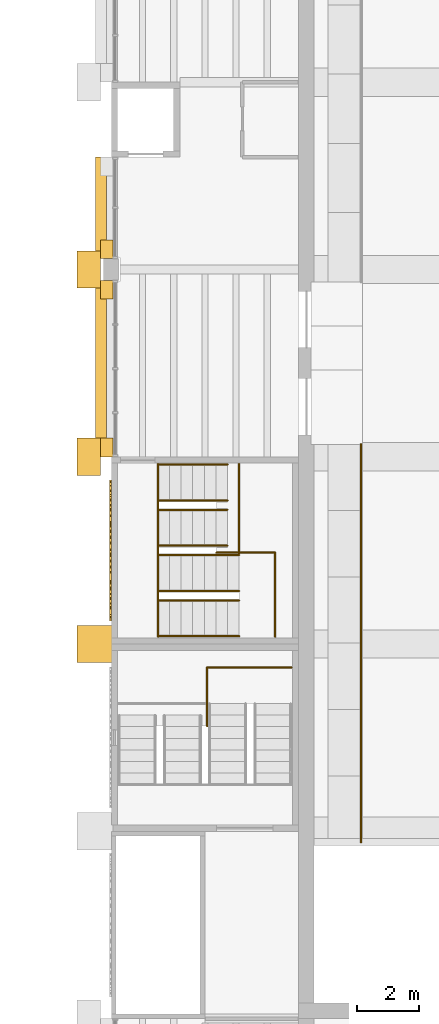
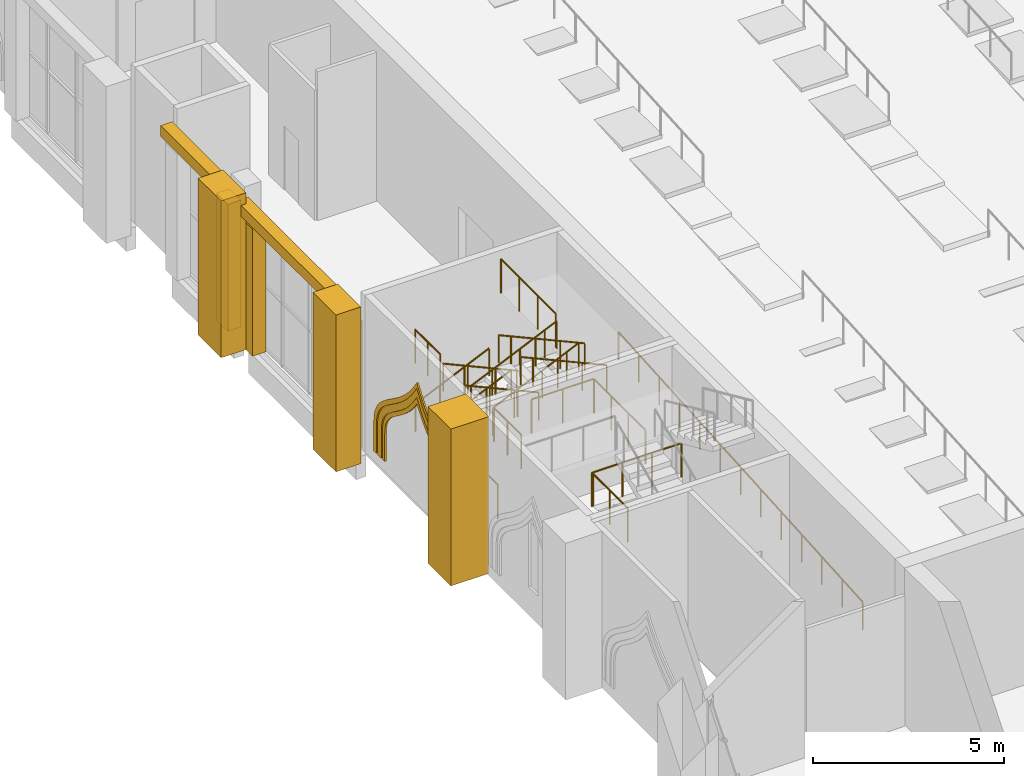
# One storey, part 69 of 80: 17 railings, 11 coverings.
"""IFC4 building model written with IfcOpenShell, lengths in metres."""

from ifc_helpers import new_model, si_unit, direction, frame, origin, origin_2d, place, context, subcontext, project, spatial, polyline, rectangle, circle, outline, extrude, material, layer, layer_set, type_object, element, save


model = new_model("IFC4")

# Units and contexts
model_context = context("Model", 3, precision=1e-05, world=origin(), true_north=direction((0.0, 1.0)))
body_context = subcontext(model_context, "Body", "Model", "MODEL_VIEW")
ifc_project = project(units=[si_unit("LENGTHUNIT", "METRE"), si_unit("AREAUNIT", "SQUARE_METRE"), si_unit("VOLUMEUNIT", "CUBIC_METRE"), si_unit("PLANEANGLEUNIT", "RADIAN"), si_unit("MASSUNIT", "GRAM", prefix="KILO")], contexts=[model_context])

# Site, building, storey
site_placement = place(None, origin())
site = spatial("IfcSite", under=ifc_project, at=site_placement, CompositionType="ELEMENT")
building_placement = place(site_placement, origin())
building = spatial("IfcBuilding", under=site, at=building_placement, Name="Saffron Lane Theatres", CompositionType="ELEMENT")
storey_placement = place(building_placement, frame((0.0, 0.0, 7.0)))
storey = spatial("IfcBuildingStorey", under=building, at=storey_placement, Name="L01", CompositionType="ELEMENT", Elevation=7.0)

# Coverings
ifc_material_1 = material(Name="Masonry sandstone", Category="masonry")
ifc_layer_1 = layer(ifc_material_1, 0.050048828125)
ifc_layer_set_1 = layer_set([ifc_layer_1], Name="Masonry sandstone")
covering_type_1 = type_object("IfcCoveringType", Name="EX-ARCH FRAME RING SANDSTONE 50", PredefinedType="CLADDING", material=ifc_layer_set_1)
covering_1_placement = place(storey_placement, frame((12.0, 67.220947265625, 1.466064453125), z_axis=(1.0, 0.0, 0.0), x_axis=(0.0, -0.06442827163, -0.997922340573)))
element("IfcCovering", 1, at=covering_1_placement, inside=storey, type_object=covering_type_1, Name="Arch recess ring L01", PredefinedType="CLADDING", context=body_context, shape_type="SweptSolid", body=[
    extrude(outline(polyline([(0.0, 0.0), (0.17052029873114202, -1.734723475976807e-18), (1.0646548177504682, 0.057727479707130096), (1.0569158749668421, 0.17759510460018418), (0.1666794900903794, 0.12011929782910698), (0.009378312325415084, 0.11999416045256955), (-0.12631115114749694, 0.14132553905751855), (-0.24603161728210898, 0.1805686902487979), (-0.35582673200113546, 0.23659947491203814), (-0.4578891957599371, 0.3092763270207095), (-0.555794861524932, 0.3971451362776176), (-0.653316026970957, 0.49800516267527767), (-0.7518515741675732, 0.6107874953269541), (-0.8559833487339207, 0.734462372469297), (-0.9676838373063142, 0.8654773607007713), (-1.0898294518163916, 1.00291280516755), (-1.2261138421464728, 1.1433497989425043), (-1.3797199718461386, 1.2868274911490194), (-1.5533040390279798, 1.4290153595582635), (-1.7497739147406413, 1.569481016084268), (-1.8987485633254448, 1.6601689117707128), (-1.7626721527133515, 1.769260390906025), (-1.5858956842468284, 1.9338237310590929), (-1.4320364834281316, 2.0971521260967796), (-1.2981552200916107, 2.259190697337195), (-1.1810608911355616, 2.415986431955586), (-1.077601992127411, 2.5679874475964257), (-0.9836759046637523, 2.7122781832046896), (-0.8963118394619282, 2.8483164933306306), (-0.8130968822475313, 2.9728330766257725), (-0.7293548100504015, 3.0853958945498916), (-0.6435609043329518, 3.185124790918292), (-0.5516911944842918, 3.270322371595594), (-0.45001253195297086, 3.340006413039703), (-0.33633221628362797, 3.394318481277149), (-0.20451222420252907, 3.432920915118727), (-0.04850087023483576, 3.45302398997744), (0.841735514641627, 3.510499796748517), (0.8339965718580008, 3.6303674216415716), (-0.06013794716132548, 3.5726399419344412), (-0.22924258562717004, 3.5507129373808337), (-0.378596141799031, 3.507064111625651), (-0.5108079746597345, 3.444216136307078), (-0.6259724615603004, 3.3636308117286893), (-0.7289703097314318, 3.2689074104217855), (-0.8232595752236446, 3.1605566187191068), (-0.9107501759849842, 3.0416355637022074), (-0.996699979104489, 2.914006625097878), (-1.0852822112259581, 2.7778896671794207), (-1.1770785164682693, 2.6347150311334024), (-1.2787771031070279, 2.485763452567737), (-1.393199504391982, 2.333054606794249), (-1.5222947873945643, 2.1764626573449113), (-1.670393474343606, 2.018643802332316), (-1.8417002509999132, 1.8603051727976225), (-2.106324206432929, 1.6467673279258968), (-1.816438580043605, 1.469029958207694), (-1.6261934149493182, 1.3340339934919054), (-1.4590305030942705, 1.196569187182587), (-1.3108709951856827, 1.0578774753100109), (-1.1777618783988018, 0.9211498609758807), (-1.057754085662196, 0.786512180648223), (-0.9483092157791764, 0.6563301599259349), (-0.842959274293184, 0.5327339305761084), (-0.7413113717873806, 0.417216752019324), (-0.6392551998519803, 0.31053329351799586), (-0.5318160234510044, 0.21520657625605405), (-0.4174928931574932, 0.13451394113409837), (-0.29292213027195085, 0.06940650212296195), (-0.15372637343577983, 0.024081254977071236), (0.0, 0.0)])), origin(), (0.0, 0.0, -1.0), 0.050048828125),
])
covering_2_placement = place(storey_placement, frame((12.0, 66.962890625, 1.489013671875), z_axis=(1.0, 0.0, 0.0), x_axis=(0.0, -0.067277250526, -0.997734319126)))
element("IfcCovering", 2, at=covering_2_placement, inside=storey, type_object=covering_type_1, Name="Arch recess ring L01", PredefinedType="CLADDING", context=body_context, shape_type="SweptSolid", body=[
    extrude(outline(polyline([(0.0, 0.0), (0.19233029031026627, 1.734723475976807e-18), (1.0875142802486646, 0.060362279219764774), (1.0740621151654026, 0.2598604255488935), (0.18496781223338807, 0.19990877407892305), (0.015584020397099685, 0.20072197197738367), (-0.12930993244145556, 0.22300681743565523), (-0.25737744477051455, 0.26428900709195824), (-0.3738324043353903, 0.32568513851799763), (-0.4833823096412719, 0.4044308347113844), (-0.5899409854822366, 0.5005068813925055), (-0.6969186565818595, 0.6136833270214763), (-0.806455545762842, 0.7394113458537827), (-0.9222383154489977, 0.8779317362000586), (-1.0464893140129872, 1.0259136097170674), (-1.1832181277392173, 1.1811290396929053), (-1.336190755431839, 1.3413665245256616), (-1.5076131203535217, 1.5030515883918443), (-1.7018369469288772, 1.6654014043510899), (-1.9220589334515876, 1.8250193836201942), (-2.049700012736332, 1.9035239715952115), (-1.9337536117657297, 1.998453669562001), (-1.7369538320912872, 2.1861914371370204), (-1.5662836132441338, 2.3731460678639418), (-1.4181192040708015, 2.55638087603933), (-1.288043179706711, 2.735704338682526), (-1.1733897138094234, 2.9078704821698738), (-1.0701300058149192, 3.071193408419198), (-0.9739916676789238, 3.224003644458316), (-0.88232529816899, 3.363298804143827), (-0.7915099353012716, 3.489812439086117), (-0.6988140522933629, 3.5993242257405087), (-0.6008274244216893, 3.6920641156468856), (-0.493669077112157, 3.768538498045372), (-0.3723030096597413, 3.8266400003332506), (-0.23171243563903043, 3.8681750747018797), (-0.06397115480191937, 3.8917206248289538), (0.8251231481300952, 3.9516722762989245), (0.8116709830468334, 4.151170422628053), (-0.08351300689156488, 4.090808143408289), (-0.27410223554270324, 4.064987870501222), (-0.4451520913660816, 4.014302770236232), (-0.5955924629503493, 3.941027255485577), (-0.7275034510174831, 3.846978625211365), (-0.844380195010638, 3.73681510258881), (-0.9502679206038257, 3.612466173180341), (-1.0472960038489982, 3.476479898388833), (-1.1427584332134457, 3.3317901747481002), (-1.2394961329102734, 3.176981963536964), (-1.3410042423826358, 3.0167134879306374), (-1.452105235905665, 2.849925483288521), (-1.5768114889333888, 2.678060260212532), (-1.7181938772187972, 2.503113004705068), (-1.8797283259254323, 2.325828115147266), (-2.066256523608039, 2.1490601516926002), (-2.3929147724161153, 1.8803809916168037), (-2.033143501864625, 1.6579877914978223), (-1.8245728065730595, 1.5078613564498122), (-1.6407002082776134, 1.3538672728603436), (-1.4771110712833284, 1.199484255062579), (-1.3304608713065962, 1.045916604517425), (-1.197974384574279, 0.8955537098670809), (-1.0758691871722335, 0.7503634852332024), (-0.9592242541653773, 0.6099436703748589), (-0.8452014505102268, 0.4793795413270504), (-0.7307956008937585, 0.35765026200840155), (-0.6091726199284526, 0.24864238533224842), (-0.47856448398217566, 0.15516677446133414), (-0.335221619360768, 0.07967851847782517), (-0.17630589102074565, 0.02726289341672148), (0.0, 0.0)])), origin(), (0.0, 0.0, -1.0), 0.050048828125),
])
covering_3_placement = place(storey_placement, frame((12.0, 66.763916015625, 1.5029296875), z_axis=(1.0, 0.0, 0.0), x_axis=(0.0, -0.067065646472, -0.997748565052)))
element("IfcCovering", 3, at=covering_3_placement, inside=storey, type_object=covering_type_1, Name="Arch recess ring L01", PredefinedType="CLADDING", context=body_context, shape_type="SweptSolid", body=[
    extrude(outline(polyline([(0.0, 0.0), (0.2074984191926236, 1.734723475976807e-18), (1.1014772360238896, 0.06009055726342236), (1.0920952498353498, 0.19966817634906692), (0.20201388833631823, 0.13983959426717446), (0.011615956568756983, 0.14025496281157382), (-0.1545495581607764, 0.1660342398852799), (-0.3013217281198837, 0.216362774594851), (-0.43524275150959957, 0.2866410640821107), (-0.5608118797206071, 0.37827952297569045), (-0.6812756516801551, 0.4886130134091051), (-0.8002551848645222, 0.616908751733141), (-0.9221167322992069, 0.7589581870874968), (-1.0488253950991717, 0.9148739228396727), (-1.186176225141812, 1.079861985519764), (-1.3360197094001713, 1.2523298417874185), (-1.5023331596762923, 1.4295632334296131), (-1.689857407544703, 1.6092859638033192), (-1.9023752941957186, 1.789530921019154), (-2.1427587800075587, 1.9657006129933605), (-2.3310778582787033, 2.0844417257822565), (-2.1603438640677535, 2.227317302169595), (-1.945699439841227, 2.434072596587418), (-1.7592153368547458, 2.6411372630123773), (-1.5974301505716484, 2.844339519030701), (-1.456331811517781, 3.0422362031160675), (-1.3309175129370854, 3.2332060565792715), (-1.2168824740506068, 3.4150915184680417), (-1.1121797264991542, 3.5865620306235555), (-1.01042477424689, 3.74364229201819), (-0.9096852630765426, 3.886706881200974), (-0.805070989599554, 4.01216943836774), (-0.6928953425442629, 4.119788383334645), (-0.5695843140065082, 4.207357034802879), (-0.4308678808794456, 4.276875251559516), (-0.2696471477012892, 4.324660443881734), (-0.08101754840905481, 4.350552898829916), (0.8090638130899768, 4.410381480911808), (0.799681826901437, 4.549959099997453), (-0.09429698992982904, 4.4898685427340315), (-0.299928835954052, 4.462099173491861), (-0.48175454911721033, 4.407790454445362), (-0.6417883508808035, 4.327785761836828), (-0.782322811336707, 4.22706951819905), (-0.9076463378150302, 4.107555693526036), (-1.0206021653451405, 3.9715000894631314), (-1.1270384876998094, 3.8221799810608545), (-1.2304638189878152, 3.660827685784956), (-1.3361409303723266, 3.48929167983406), (-1.4482927353880704, 3.3085115693691134), (-1.5720202814841786, 3.1215701588289084), (-1.7092559228779225, 2.928092869664417), (-1.8663186618097571, 2.7310806390702025), (-2.046457047981351, 2.531538567002596), (-2.253455933357439, 2.3311697793950295), (-2.5685790425867374, 2.0684776131577776), (-2.2211347453361867, 1.85032122778061), (-1.9891827239193753, 1.6794573949928497), (-1.7839602141162927, 1.5058181189990123), (-1.6019443391437345, 1.3315977291979), (-1.440050283788488, 1.1582270352158286), (-1.292417502377776, 0.9895256466896438), (-1.1570808937966353, 0.8253809602518462), (-1.0293978671636117, 0.6695307182950527), (-0.9053092434324345, 0.5234712242409627), (-0.7798469735191562, 0.38973863913971574), (-0.6496990247011458, 0.27002373702473836), (-0.5095084066710004, 0.16835697159344964), (-0.356759353376265, 0.08735436036579791), (-0.1874581795660513, 0.029486570596540487), (0.0, 0.0)])), origin(), (0.0, 0.0, -1.0), 0.050048828125),
])
ifc_material_2 = material(Name="Masonry sandstone", Category="masonry")
ifc_layer_2 = layer(ifc_material_2, 1.199951171875)
ifc_layer_set_2 = layer_set([ifc_layer_2], Name="Masonry sandstone")
covering_type_2 = type_object("IfcCoveringType", Name="EX-FLANK BUTTRESS PIER SANDSTONE 1200", PredefinedType="CLADDING", material=ifc_layer_set_2)
covering_4_placement = place(storey_placement, frame((11.47509765625, 66.0, 0.0), z_axis=(0.0, 0.0, 1.0), x_axis=(0.0, 1.0, 0.0)))
element("IfcCovering", 4, at=covering_4_placement, inside=storey, type_object=covering_type_2, Name="Flank buttress west L01", PredefinedType="CLADDING", context=body_context, shape_type="SweptSolid", body=[
    extrude(rectangle(XDim=1.199951171875, YDim=1.14990234375, at=origin_2d()), origin(), (0.0, 0.0, 1.0), 5.0),
])
for number, where, z_axis, x_axis, name in (
    (5, (11.27490234375, 72.0, 0.0), (0.0, 0.0, 1.0), (0.0, 1.0, 0.0), "Flank buttress west L01"),
    (6, (11.27490234375, 78.0, 0.0), (0.0, 0.0, 1.0), (0.0, 1.0, 0.0), "Flank buttress west L01"),
):
    element("IfcCovering", number, at=place(storey_placement, frame(where, z_axis=z_axis, x_axis=x_axis)), inside=storey, type_object=covering_type_2, Name=name, PredefinedType="CLADDING", context=body_context, shape_type="SweptSolid", body=[
        extrude(rectangle(XDim=1.199951171875, YDim=0.75, at=origin_2d()), origin(), (0.0, 0.0, 1.0), 5.0),
    ])
ifc_material_3 = material(Name="Masonry sandstone", Category="masonry")
ifc_layer_3 = layer(ifc_material_3, 0.39990234375)
ifc_layer_set_3 = layer_set([ifc_layer_3], Name="Masonry sandstone")
covering_type_3 = type_object("IfcCoveringType", Name="EX-PILASTER PIER SANDSTONE 400", PredefinedType="CLADDING", material=ifc_layer_set_3)
for number, where, z_axis, x_axis, name in (
    (7, (11.85009765625, 72.300048828125, 0.0), (0.0, 0.0, 1.0), (0.0, 1.0, 0.0), "Pilaster pier L01"),
    (8, (11.85009765625, 77.35009765625, 0.0), (0.0, 0.0, 1.0), (0.0, 1.0, 0.0), "Pilaster pier L01"),
    (9, (11.85009765625, 78.64990234375, 0.0), (0.0, 0.0, 1.0), (0.0, 1.0, 0.0), "Pilaster pier L01"),
):
    element("IfcCovering", number, at=place(storey_placement, frame(where, z_axis=z_axis, x_axis=x_axis)), inside=storey, type_object=covering_type_3, Name=name, PredefinedType="CLADDING", context=body_context, shape_type="SweptSolid", body=[
        extrude(rectangle(XDim=0.60009765625, YDim=0.39990234375, at=origin_2d()), origin(), (0.0, 0.0, 1.0), 4.050048828125),
    ])
ifc_material_4 = material(Name="Masonry sandstone", Category="masonry")
ifc_layer_4 = layer(ifc_material_4, 0.300048828125)
ifc_layer_set_4 = layer_set([ifc_layer_4], Name="Masonry sandstone")
covering_type_4 = type_object("IfcCoveringType", Name="EX-STRING COURSE SANDSTONE 350", PredefinedType="CLADDING", material=ifc_layer_set_4)
covering_5_placement = place(storey_placement, frame((11.675048828125, 74.824951171875, 4.300048828125), z_axis=(0.0, 0.0, 1.0), x_axis=(0.0, 1.0, 0.0)))
element("IfcCovering", 10, at=covering_5_placement, inside=storey, type_object=covering_type_4, Name="String course L01", PredefinedType="CLADDING", context=body_context, shape_type="SweptSolid", body=[
    extrude(rectangle(XDim=5.64990234375, YDim=0.35009765625, at=origin_2d()), origin(), (0.0, 0.0, 1.0), 0.35009765625),
])
covering_6_placement = place(storey_placement, frame((11.675048828125, 79.97509765625, 4.300048828125), z_axis=(0.0, 0.0, 1.0), x_axis=(0.0, 1.0, 0.0)))
element("IfcCovering", 11, at=covering_6_placement, inside=storey, type_object=covering_type_4, Name="String course L01", PredefinedType="CLADDING", context=body_context, shape_type="SweptSolid", body=[
    extrude(rectangle(XDim=3.25, YDim=0.35009765625, at=origin_2d()), origin(), (0.0, 0.0, 1.0), 0.35009765625),
])

# Railings
ifc_material_5 = material(Name="Steel Grade 350", Category="steel")
railing_type_1 = type_object("IfcRailingType", Name="VC-GUARD 1100", PredefinedType="GUARDRAIL", material=ifc_material_5)
railing_1_placement = place(storey_placement, frame((17.25, 68.89990234375, 1.166748046875)))
element("IfcRailing", 12, at=railing_1_placement, inside=storey, type_object=railing_type_1, Name="Auditorium West Rear Stair landing guard 2N1s", PredefinedType="GUARDRAIL", context=body_context, shape_type="SweptSolid", body=[
    extrude(circle(Radius=0.02392578125, at=origin_2d()), frame((0.0, 0.0, 1.076171875), z_axis=(0.0, -1.0, 0.0), x_axis=(1.0, 0.0, 0.0)), (0.0, 0.0, 1.0), 2.669921875),
    extrude(circle(Radius=0.02099609375, at=origin_2d()), origin(), (0.0, 0.0, 1.0), 1.052001953125),
    extrude(circle(Radius=0.02099609375, at=origin_2d()), frame((0.0, -0.889892578125, 0.0)), (0.0, 0.0, 1.0), 1.052001953125),
    extrude(circle(Radius=0.02099609375, at=origin_2d()), frame((0.0, -1.780029296875, 0.0)), (0.0, 0.0, 1.0), 1.052001953125),
    extrude(circle(Radius=0.02099609375, at=origin_2d()), frame((0.0, -2.669921875, 0.0)), (0.0, 0.0, 1.0), 1.052001953125),
])
railing_2_placement = place(storey_placement, frame((15.3701171875, 68.929931640625, 1.166748046875)))
element("IfcRailing", 13, at=railing_2_placement, inside=storey, type_object=railing_type_1, Name="Auditorium West Rear Stair landing guard 2N1e", PredefinedType="GUARDRAIL", context=body_context, shape_type="SweptSolid", body=[
    extrude(circle(Radius=0.02392578125, at=origin_2d()), frame((0.0, 0.0, 1.076171875), z_axis=(1.0, 0.0, 0.0), x_axis=(0.0, 1.0, 0.0)), (0.0, 0.0, 1.0), 1.8798828125),
    extrude(circle(Radius=0.02099609375, at=origin_2d()), origin(), (0.0, 0.0, 1.0), 1.052001953125),
    extrude(circle(Radius=0.02099609375, at=origin_2d()), frame((0.93994140625, 0.0, 0.0)), (0.0, 0.0, 1.0), 1.052001953125),
    extrude(circle(Radius=0.02099609375, at=origin_2d()), frame((1.8798828125, 0.0, 0.0)), (0.0, 0.0, 1.0), 1.052001953125),
])
railing_3_placement = place(storey_placement, frame((16.090087890625, 71.77001953125, 3.666748046875)))
element("IfcRailing", 14, at=railing_3_placement, inside=storey, type_object=railing_type_1, Name="Auditorium West Rear Stair landing guard 2N2s", PredefinedType="GUARDRAIL", context=body_context, shape_type="SweptSolid", body=[
    extrude(circle(Radius=0.02392578125, at=origin_2d()), frame((0.0, 0.0, 1.076171875), z_axis=(0.0, -1.0, 0.0), x_axis=(1.0, 0.0, 0.0)), (0.0, 0.0, 1.0), 2.8701171875),
    extrude(circle(Radius=0.02099609375, at=origin_2d()), origin(), (0.0, 0.0, 1.0), 1.052001953125),
    extrude(circle(Radius=0.02099609375, at=origin_2d()), frame((0.0, -0.956787109375, 0.0)), (0.0, 0.0, 1.0), 1.052001953125),
    extrude(circle(Radius=0.02099609375, at=origin_2d()), frame((0.0, -1.913330078125, 0.0)), (0.0, 0.0, 1.0), 1.052001953125),
    extrude(circle(Radius=0.02099609375, at=origin_2d()), frame((0.0, -2.8701171875, 0.0)), (0.0, 0.0, 1.0), 1.052001953125),
])
railing_4_placement = place(storey_placement, frame((13.5, 71.77001953125, 2.333251953125)))
element("IfcRailing", 15, at=railing_4_placement, inside=storey, type_object=railing_type_1, Name="Auditorium West Rear Stair landing guard 2S2w", PredefinedType="GUARDRAIL", context=body_context, shape_type="SweptSolid", body=[
    extrude(circle(Radius=0.02392578125, at=origin_2d()), frame((0.0, 0.0, 1.076171875), z_axis=(0.0, -1.0, 0.0), x_axis=(1.0, 0.0, 0.0)), (0.0, 0.0, 1.0), 1.320068359375),
    extrude(circle(Radius=0.02099609375, at=origin_2d()), origin(), (0.0, 0.0, 1.0), 1.052001953125),
    extrude(circle(Radius=0.02099609375, at=origin_2d()), frame((0.0, -0.66015625, 0.0)), (0.0, 0.0, 1.0), 1.052001953125),
    extrude(circle(Radius=0.02099609375, at=origin_2d()), frame((0.0, -1.320068359375, 0.0)), (0.0, 0.0, 1.0), 1.052001953125),
])
railing_5_placement = place(storey_placement, frame((13.5, 67.64990234375, 2.333251953125)))
element("IfcRailing", 16, at=railing_5_placement, inside=storey, type_object=railing_type_1, Name="Auditorium West Rear Stair landing guard 2S2e", PredefinedType="GUARDRAIL", context=body_context, shape_type="SweptSolid", body=[
    extrude(circle(Radius=0.02392578125, at=origin_2d()), frame((0.0, 0.0, 1.076171875), z_axis=(0.0, -1.0, 0.0), x_axis=(1.0, 0.0, 0.0)), (0.0, 0.0, 1.0), 1.419921875),
    extrude(circle(Radius=0.02099609375, at=origin_2d()), origin(), (0.0, 0.0, 1.0), 1.052001953125),
    extrude(circle(Radius=0.02099609375, at=origin_2d()), frame((0.0, -0.7099609375, 0.0)), (0.0, 0.0, 1.0), 1.052001953125),
    extrude(circle(Radius=0.02099609375, at=origin_2d()), frame((0.0, -1.419921875, 0.0)), (0.0, 0.0, 1.0), 1.052001953125),
])
railing_6_placement = place(storey_placement, frame((13.5, 70.550048828125, 0.0)))
element("IfcRailing", 17, at=railing_6_placement, inside=storey, type_object=railing_type_1, Name="Auditorium West Rear Stair guard L01", PredefinedType="GUARDRAIL", context=body_context, shape_type="SweptSolid", body=[
    extrude(circle(Radius=0.02392578125, at=origin_2d()), frame((0.0, 0.0, 1.076171875), z_axis=(0.0, -1.0, 0.0), x_axis=(1.0, 0.0, 0.0)), (0.0, 0.0, 1.0), 3.10009765625),
    extrude(circle(Radius=0.02099609375, at=origin_2d()), origin(), (0.0, 0.0, 1.0), 1.052001953125),
    extrude(circle(Radius=0.02099609375, at=origin_2d()), frame((0.0, -1.033447265625, 0.0)), (0.0, 0.0, 1.0), 1.052001953125),
    extrude(circle(Radius=0.02099609375, at=origin_2d()), frame((0.0, -2.066650390625, 0.0)), (0.0, 0.0, 1.0), 1.052001953125),
    extrude(circle(Radius=0.02099609375, at=origin_2d()), frame((0.0, -3.10009765625, 0.0)), (0.0, 0.0, 1.0), 1.052001953125),
])
railing_7_placement = place(storey_placement, frame((15.10009765625, 65.25, 1.166748046875)))
element("IfcRailing", 18, at=railing_7_placement, inside=storey, type_object=railing_type_1, Name="Auditorium West Front Stair landing guard 2N1s", PredefinedType="GUARDRAIL", context=body_context, shape_type="SweptSolid", body=[
    extrude(circle(Radius=0.02392578125, at=origin_2d()), frame((0.0, 0.0, 1.076171875), z_axis=(1.0, 0.0, 0.0), x_axis=(0.0, 1.0, 0.0)), (0.0, 0.0, 1.0), 2.669921875),
    extrude(circle(Radius=0.02099609375, at=origin_2d()), origin(), (0.0, 0.0, 1.0), 1.052001953125),
    extrude(circle(Radius=0.02099609375, at=origin_2d()), frame((0.889892578125, 0.0, 0.0)), (0.0, 0.0, 1.0), 1.052001953125),
    extrude(circle(Radius=0.02099609375, at=origin_2d()), frame((1.780029296875, 0.0, 0.0)), (0.0, 0.0, 1.0), 1.052001953125),
    extrude(circle(Radius=0.02099609375, at=origin_2d()), frame((2.669921875, 0.0, 0.0)), (0.0, 0.0, 1.0), 1.052001953125),
])
railing_8_placement = place(storey_placement, frame((15.070068359375, 63.3701171875, 1.166748046875)))
element("IfcRailing", 19, at=railing_8_placement, inside=storey, type_object=railing_type_1, Name="Auditorium West Front Stair landing guard 2N1e", PredefinedType="GUARDRAIL", context=body_context, shape_type="SweptSolid", body=[
    extrude(circle(Radius=0.02392578125, at=origin_2d()), frame((0.0, 0.0, 1.076171875), z_axis=(0.0, 1.0, 0.0), x_axis=(-1.0, 0.0, 0.0)), (0.0, 0.0, 1.0), 1.8798828125),
    extrude(circle(Radius=0.02099609375, at=origin_2d()), origin(), (0.0, 0.0, 1.0), 1.052001953125),
    extrude(circle(Radius=0.02099609375, at=origin_2d()), frame((0.0, 0.93994140625, 0.0)), (0.0, 0.0, 1.0), 1.052001953125),
    extrude(circle(Radius=0.02099609375, at=origin_2d()), frame((0.0, 1.8798828125, 0.0)), (0.0, 0.0, 1.0), 1.052001953125),
])
ifc_material_6 = material(Name="Steel Grade 350", Category="steel")
railing_type_2 = type_object("IfcRailingType", Name="VC-HANDRAIL 900", PredefinedType="HANDRAIL", material=ifc_material_6)
for number, where, name in (
    (20, (13.5, 71.75, 0.166748046875), "Auditorium West Rear Stair handrail 2.1a"),
    (21, (13.5, 70.60009765625, 0.166748046875), "Auditorium West Rear Stair handrail 2.1b"),
):
    element("IfcRailing", number, at=place(storey_placement, frame(where)), inside=storey, type_object=railing_type_2, Name=name, PredefinedType="HANDRAIL", context=body_context, shape_type="SweptSolid", body=[
        extrude(circle(Radius=0.02392578125, at=origin_2d()), frame((0.0, 0.0, 0.8759765625), z_axis=(0.911803263409, 0.0, 0.410627335715), x_axis=(0.0, 1.0, 0.0)), (0.0, 0.0, 1.0), 0.8115234375),
        extrude(circle(Radius=0.02392578125, at=origin_2d()), frame((0.739990234375, 0.0, 1.208984375), z_axis=(0.911803263409, 0.0, 0.410627335715), x_axis=(0.0, 1.0, 0.0)), (0.0, 0.0, 1.0), 0.8115234375),
        extrude(circle(Radius=0.02392578125, at=origin_2d()), frame((1.47998046875, 0.0, 1.54248046875), z_axis=(0.911690610408, 0.0, 0.410877391559), x_axis=(0.0, 1.0, 0.0)), (0.0, 0.0, 1.0), 0.811767578125),
        extrude(circle(Radius=0.02099609375, at=origin_2d()), origin(), (0.0, 0.0, 1.0), 0.851806640625),
        extrude(circle(Radius=0.02099609375, at=origin_2d()), frame((0.739990234375, 0.0, 0.333251953125)), (0.0, 0.0, 1.0), 0.851806640625),
        extrude(circle(Radius=0.02099609375, at=origin_2d()), frame((1.47998046875, 0.0, 0.66650390625)), (0.0, 0.0, 1.0), 0.851806640625),
        extrude(circle(Radius=0.02099609375, at=origin_2d()), frame((2.219970703125, 0.0, 1.0)), (0.0, 0.0, 1.0), 0.851806640625),
    ])
for number, where, name in (
    (22, (15.719970703125, 70.300048828125, 1.333251953125), "Auditorium West Rear Stair handrail 2.2a"),
    (23, (15.719970703125, 69.14990234375, 1.333251953125), "Auditorium West Rear Stair handrail 2.2b"),
):
    element("IfcRailing", number, at=place(storey_placement, frame(where)), inside=storey, type_object=railing_type_2, Name=name, PredefinedType="HANDRAIL", context=body_context, shape_type="SweptSolid", body=[
        extrude(circle(Radius=0.02392578125, at=origin_2d()), frame((0.0, 0.0, 0.8759765625), z_axis=(-0.911690610408, 0.0, 0.410877391559), x_axis=(0.0, -1.0, 0.0)), (0.0, 0.0, 1.0), 0.811767578125),
        extrude(circle(Radius=0.02392578125, at=origin_2d()), frame((-0.739990234375, 0.0, 1.20947265625), z_axis=(-0.911803263409, 0.0, 0.410627335715), x_axis=(0.0, -1.0, 0.0)), (0.0, 0.0, 1.0), 0.8115234375),
        extrude(circle(Radius=0.02392578125, at=origin_2d()), frame((-1.47998046875, 0.0, 1.54248046875), z_axis=(-0.911803263409, 0.0, 0.410627335715), x_axis=(0.0, -1.0, 0.0)), (0.0, 0.0, 1.0), 0.8115234375),
        extrude(circle(Radius=0.02099609375, at=origin_2d()), origin(), (0.0, 0.0, 1.0), 0.851806640625),
        extrude(circle(Radius=0.02099609375, at=origin_2d()), frame((-0.739990234375, 0.0, 0.33349609375)), (0.0, 0.0, 1.0), 0.851806640625),
        extrude(circle(Radius=0.02099609375, at=origin_2d()), frame((-1.47998046875, 0.0, 0.666748046875)), (0.0, 0.0, 1.0), 0.851806640625),
        extrude(circle(Radius=0.02099609375, at=origin_2d()), frame((-2.219970703125, 0.0, 1.0)), (0.0, 0.0, 1.0), 0.851806640625),
    ])
for number, where, name in (
    (24, (13.5, 68.85009765625, 2.5), "Auditorium West Rear Stair handrail 2.3a"),
    (25, (13.5, 67.699951171875, 2.5), "Auditorium West Rear Stair handrail 2.3b"),
):
    element("IfcRailing", number, at=place(storey_placement, frame(where)), inside=storey, type_object=railing_type_2, Name=name, PredefinedType="HANDRAIL", context=body_context, shape_type="SweptSolid", body=[
        extrude(circle(Radius=0.02392578125, at=origin_2d()), frame((0.0, 0.0, 0.8759765625), z_axis=(0.911803263409, 0.0, 0.410627335715), x_axis=(0.0, 1.0, 0.0)), (0.0, 0.0, 1.0), 0.8115234375),
        extrude(circle(Radius=0.02392578125, at=origin_2d()), frame((0.739990234375, 0.0, 1.208984375), z_axis=(0.911690610408, 0.0, 0.410877391559), x_axis=(0.0, 1.0, 0.0)), (0.0, 0.0, 1.0), 0.811767578125),
        extrude(circle(Radius=0.02392578125, at=origin_2d()), frame((1.47998046875, 0.0, 1.54248046875), z_axis=(0.911803263409, 0.0, 0.410627335715), x_axis=(0.0, 1.0, 0.0)), (0.0, 0.0, 1.0), 0.8115234375),
        extrude(circle(Radius=0.02392578125, at=origin_2d()), frame((2.219970703125, 0.0, 1.8759765625), z_axis=(0.911741368748, 0.0, 0.410764745947), x_axis=(0.0, 1.0, 0.0)), (0.0, 0.0, 1.0), 0.406005859375),
        extrude(circle(Radius=0.02099609375, at=origin_2d()), origin(), (0.0, 0.0, 1.0), 0.851806640625),
        extrude(circle(Radius=0.02099609375, at=origin_2d()), frame((0.739990234375, 0.0, 0.333251953125)), (0.0, 0.0, 1.0), 0.851806640625),
        extrude(circle(Radius=0.02099609375, at=origin_2d()), frame((1.47998046875, 0.0, 0.666748046875)), (0.0, 0.0, 1.0), 0.851806640625),
        extrude(circle(Radius=0.02099609375, at=origin_2d()), frame((2.219970703125, 0.0, 1.0)), (0.0, 0.0, 1.0), 0.851806640625),
        extrude(circle(Radius=0.02099609375, at=origin_2d()), frame((2.590087890625, 0.0, 1.166748046875)), (0.0, 0.0, 1.0), 0.851806640625),
    ])
for number, where, name in (
    (26, (16.090087890625, 67.39990234375, 3.833251953125), "Auditorium West Rear Stair handrail 2.4a"),
    (27, (16.090087890625, 66.25, 3.833251953125), "Auditorium West Rear Stair handrail 2.4b"),
):
    element("IfcRailing", number, at=place(storey_placement, frame(where)), inside=storey, type_object=railing_type_2, Name=name, PredefinedType="HANDRAIL", context=body_context, shape_type="SweptSolid", body=[
        extrude(circle(Radius=0.02392578125, at=origin_2d()), frame((0.0, 0.0, 0.8759765625), z_axis=(-0.911690610408, 0.0, 0.410877391559), x_axis=(0.0, -1.0, 0.0)), (0.0, 0.0, 1.0), 0.811767578125),
        extrude(circle(Radius=0.02392578125, at=origin_2d()), frame((-0.739990234375, 0.0, 1.20947265625), z_axis=(-0.911803263409, 0.0, 0.410627335715), x_axis=(0.0, -1.0, 0.0)), (0.0, 0.0, 1.0), 0.8115234375),
        extrude(circle(Radius=0.02392578125, at=origin_2d()), frame((-1.47998046875, 0.0, 1.54248046875), z_axis=(-0.911803263409, 0.0, 0.410627335715), x_axis=(0.0, -1.0, 0.0)), (0.0, 0.0, 1.0), 0.8115234375),
        extrude(circle(Radius=0.02392578125, at=origin_2d()), frame((-2.219970703125, 0.0, 1.8759765625), z_axis=(-0.911741368748, 0.0, 0.410764745947), x_axis=(0.0, -1.0, 0.0)), (0.0, 0.0, 1.0), 0.406005859375),
        extrude(circle(Radius=0.02099609375, at=origin_2d()), origin(), (0.0, 0.0, 1.0), 0.851806640625),
        extrude(circle(Radius=0.02099609375, at=origin_2d()), frame((-0.739990234375, 0.0, 0.33349609375)), (0.0, 0.0, 1.0), 0.851806640625),
        extrude(circle(Radius=0.02099609375, at=origin_2d()), frame((-1.47998046875, 0.0, 0.666748046875)), (0.0, 0.0, 1.0), 0.851806640625),
        extrude(circle(Radius=0.02099609375, at=origin_2d()), frame((-2.219970703125, 0.0, 1.0)), (0.0, 0.0, 1.0), 0.851806640625),
        extrude(circle(Radius=0.02099609375, at=origin_2d()), frame((-2.590087890625, 0.0, 1.166748046875)), (0.0, 0.0, 1.0), 0.851806640625),
    ])
railing_9_placement = place(storey_placement, frame((20.0, 59.64990234375, -1.082275390625)))
element("IfcRailing", 28, at=railing_9_placement, inside=storey, type_object=railing_type_2, Name="Stalls aisle 1 part 1 handrail", PredefinedType="HANDRAIL", context=body_context, shape_type="SweptSolid", body=[
    extrude(circle(Radius=0.02392578125, at=origin_2d()), frame((0.0, 0.0, 0.8759765625), z_axis=(0.0, 0.997656031066, 0.068428383565), x_axis=(-1.0, 0.0, 0.0)), (0.0, 0.0, 1.0), 4.260009765625),
    extrude(circle(Radius=0.02392578125, at=origin_2d()), frame((0.0, 4.25, 1.16748046875), z_axis=(0.0, 0.997659941903, 0.068371341377), x_axis=(-1.0, 0.0, 0.0)), (0.0, 0.0, 1.0), 4.260009765625),
    extrude(circle(Radius=0.02392578125, at=origin_2d()), frame((0.0, 8.5, 1.45849609375), z_axis=(0.0, 0.997656031066, 0.068428383565), x_axis=(-1.0, 0.0, 0.0)), (0.0, 0.0, 1.0), 4.260009765625),
    extrude(circle(Radius=0.02099609375, at=origin_2d()), origin(), (0.0, 0.0, 1.0), 0.851806640625),
    extrude(circle(Radius=0.02099609375, at=origin_2d()), frame((0.0, 1.0625, 0.07275390625)), (0.0, 0.0, 1.0), 0.851806640625),
    extrude(circle(Radius=0.02099609375, at=origin_2d()), frame((0.0, 2.125, 0.145751953125)), (0.0, 0.0, 1.0), 0.851806640625),
    extrude(circle(Radius=0.02099609375, at=origin_2d()), frame((0.0, 3.1875, 0.21875)), (0.0, 0.0, 1.0), 0.851806640625),
    extrude(circle(Radius=0.02099609375, at=origin_2d()), frame((0.0, 4.25, 0.29150390625)), (0.0, 0.0, 1.0), 0.851806640625),
    extrude(circle(Radius=0.02099609375, at=origin_2d()), frame((0.0, 5.3125, 0.3642578125)), (0.0, 0.0, 1.0), 0.851806640625),
    extrude(circle(Radius=0.02099609375, at=origin_2d()), frame((0.0, 6.375, 0.43701171875)), (0.0, 0.0, 1.0), 0.851806640625),
    extrude(circle(Radius=0.02099609375, at=origin_2d()), frame((0.0, 7.4375, 0.510009765625)), (0.0, 0.0, 1.0), 0.851806640625),
    extrude(circle(Radius=0.02099609375, at=origin_2d()), frame((0.0, 8.5, 0.582763671875)), (0.0, 0.0, 1.0), 0.851806640625),
    extrude(circle(Radius=0.02099609375, at=origin_2d()), frame((0.0, 9.5625, 0.65576171875)), (0.0, 0.0, 1.0), 0.851806640625),
    extrude(circle(Radius=0.02099609375, at=origin_2d()), frame((0.0, 10.625, 0.728515625)), (0.0, 0.0, 1.0), 0.851806640625),
    extrude(circle(Radius=0.02099609375, at=origin_2d()), frame((0.0, 11.6875, 0.80126953125)), (0.0, 0.0, 1.0), 0.851806640625),
    extrude(circle(Radius=0.02099609375, at=origin_2d()), frame((0.0, 12.75, 0.874267578125)), (0.0, 0.0, 1.0), 0.851806640625),
])

save(model, "model.ifc")
